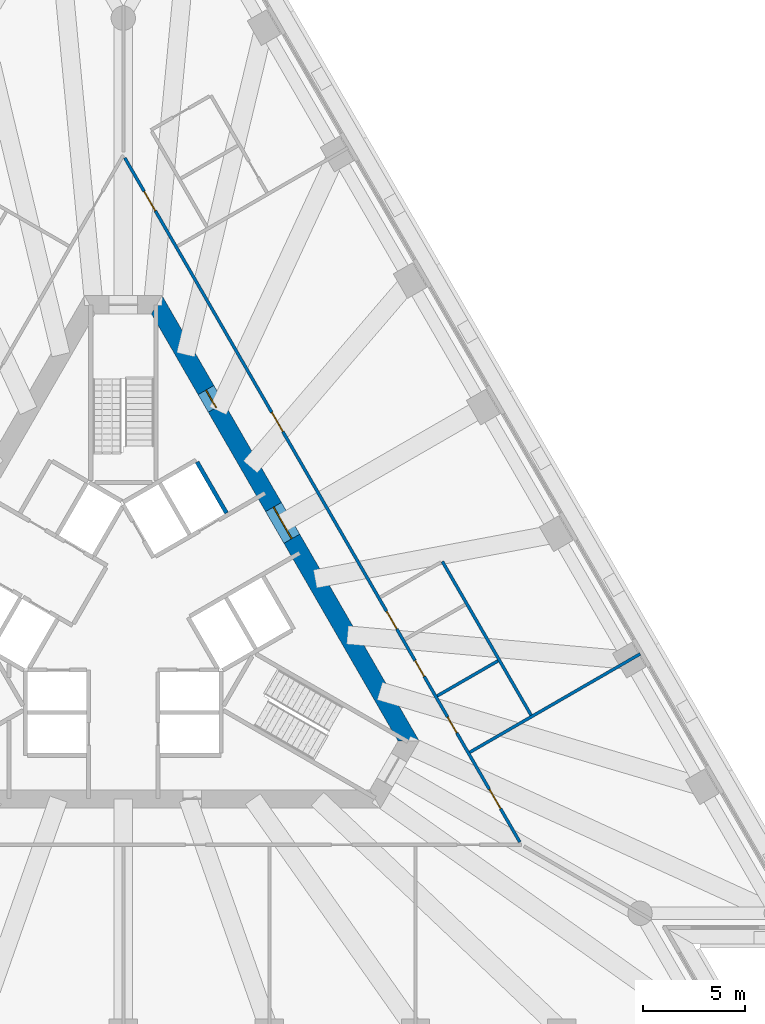
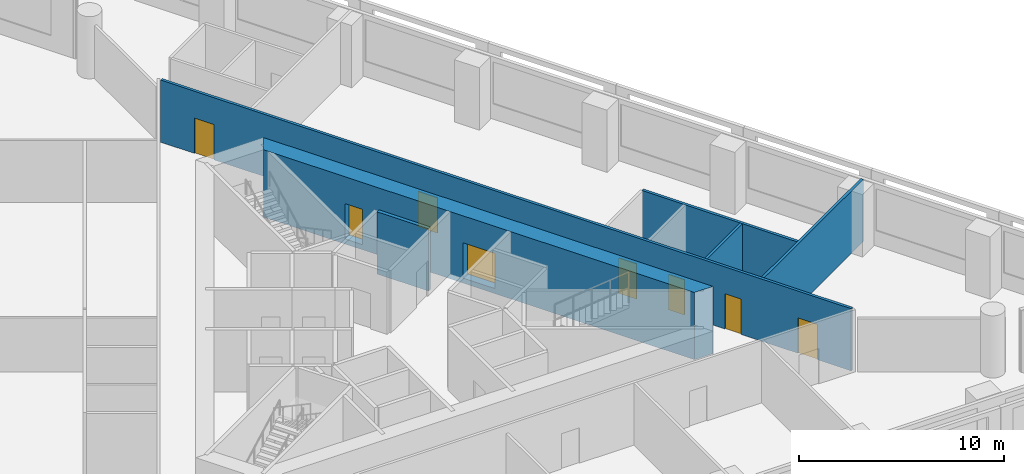
# One storey, part 6 of 11: 8 doors, 6 walls, 8 openings.
"""IFC4 building model written with IfcOpenShell, lengths in metres."""

from ifc_helpers import new_model, si_unit, direction, frame, frame_2d, origin, place, context, subcontext, project, spatial, polyline, rectangle, outline, extrude, material, layer, layer_set, type_object, element, fill, save


model = new_model("IFC4")

# Units and contexts
model_context = context("Model", 3, precision=1e-05, world=origin(), true_north=direction((0.0, 1.0)))
body_context = subcontext(model_context, "Body", "Model", "MODEL_VIEW")
ifc_project = project(units=[si_unit("LENGTHUNIT", "METRE"), si_unit("AREAUNIT", "SQUARE_METRE"), si_unit("VOLUMEUNIT", "CUBIC_METRE"), si_unit("PLANEANGLEUNIT", "RADIAN"), si_unit("MASSUNIT", "GRAM", prefix="KILO")], contexts=[model_context])

# Site, building, storey
site_placement = place(None, origin())
site = spatial("IfcSite", under=ifc_project, at=site_placement, CompositionType="ELEMENT")
building_placement = place(site_placement, origin())
building = spatial("IfcBuilding", under=site, at=building_placement, Name="Triada Interchange Tower", CompositionType="ELEMENT")
storey_placement = place(building_placement, frame((0.0, 0.0, 83.300048828125)))
storey = spatial("IfcBuildingStorey", under=building, at=storey_placement, Name="L18", CompositionType="ELEMENT", Elevation=83.300048828125)

# Wall
ifc_material_1 = material(Name="Concrete C30/37", Category="concrete")
ifc_layer_1 = layer(ifc_material_1, 0.199951171875)
ifc_layer_set_1 = layer_set([ifc_layer_1], Name="CORE WALL 200 EI 120")
wall_type_1 = type_object("IfcWallType", Name="CORE WALL 200 EI 120", PredefinedType="SOLIDWALL", material=ifc_layer_set_1)
wall_1_placement = place(storey_placement, frame((3.6259765625, 7.52001953125, 0.0), z_axis=(0.0, 0.0, 1.0), x_axis=(0.500060147554, -0.865990674793, 0.0)))
element("IfcWall", 1, at=wall_1_placement, inside=storey, type_object=wall_type_1, Name="Wall L18 59", PredefinedType="SOLIDWALL", context=body_context, shape_type="SweptSolid", body=[
    extrude(rectangle(XDim=2.899658203125, YDim=0.199951171875, at=frame_2d((1.44970703125, 0.0))), origin(), (0.0, 0.0, 1.0), 3.699951171875),
])

# Wall, openings, doors
ifc_material_2 = material(Name="Concrete C70/85", Category="concrete")
ifc_layer_2 = layer(ifc_material_2, 0.89990234375)
ifc_layer_set_2 = layer_set([ifc_layer_2], Name="Core wall A 900")
wall_type_2 = type_object("IfcWallType", Name="Core wall A 900", PredefinedType="SHEAR", material=ifc_layer_set_2)
wall_2_placement = place(storey_placement, frame((14.030029296875, -6.199951171875, -0.300048828125), z_axis=(0.0, 0.0, 1.0), x_axis=(-0.500026485275, 0.866010111964, 0.0)))
wall_2 = element("IfcWall", 2, at=wall_2_placement, inside=storey, type_object=wall_type_2, Name="Core wall WA06 L18", PredefinedType="SHEAR", context=body_context, shape_type="SweptSolid", body=[
    extrude(outline(polyline([(-0.260009765625, -0.448974609375), (1.685302734375, -0.448974609375), (3.63037109375, -0.44921875), (5.57568359375, -0.44921875), (7.52099609375, -0.44921875), (9.466064453125, -0.449462890625), (11.411376953125, -0.449462890625), (13.356689453125, -0.449462890625), (15.302001953125, -0.449462890625), (17.2470703125, -0.44970703125), (19.1923828125, -0.44970703125), (21.1376953125, -0.44970703125), (23.082763671875, -0.449951171875), (25.028076171875, -0.449951171875), (24.509033203125, 0.448974609375), (22.643798828125, 0.448974609375), (20.7783203125, 0.44921875), (18.9130859375, 0.44921875), (17.0478515625, 0.44921875), (15.182373046875, 0.449462890625), (13.317138671875, 0.449462890625), (11.451904296875, 0.449462890625), (9.586669921875, 0.449462890625), (7.72119140625, 0.44970703125), (5.85595703125, 0.44970703125), (3.99072265625, 0.44970703125), (2.125244140625, 0.449951171875), (0.260009765625, 0.449951171875), (-0.260009765625, -0.448974609375)])), origin(), (0.0, 0.0, 1.0), 4.0),
])
opening_1_placement = place(wall_2_placement, frame((11.48388671875, 0.0, 0.300048828125)))
opening_1 = element("IfcOpeningElement", 3, at=opening_1_placement, cuts=wall_2, Name="Opening D18-38", PredefinedType="OPENING", context=body_context, shape_type="SweptSolid", body=[
    extrude(rectangle(XDim=1.800048828125, YDim=2.10009765625, at=frame_2d((0.89990234375, 1.050048828125))), frame((0.0, 0.4599609375, 0.0), z_axis=(0.0, -1.0, 0.0), x_axis=(1.0, 0.0, 0.0)), (0.0, 0.0, 1.0), 0.919921875),
])
opening_2_placement = place(wall_2_placement, frame((18.926025390625, 0.0, 0.300048828125)))
opening_2 = element("IfcOpeningElement", 4, at=opening_2_placement, cuts=wall_2, Name="Opening D18-46", PredefinedType="OPENING", context=body_context, shape_type="SweptSolid", body=[
    extrude(rectangle(XDim=1.0, YDim=2.10009765625, at=frame_2d((0.5, 1.050048828125))), frame((0.0, 0.4599609375, 0.0), z_axis=(0.0, -1.0, 0.0), x_axis=(1.0, 0.0, 0.0)), (0.0, 0.0, 1.0), 0.919921875),
])
ifc_material_3 = material(Name="Steel S235 door leaf", Category="steel")
door_type_1 = type_object("IfcDoorType", Name="LOBBY DOOR 1800 EI2 90-C5S200", OperationType="DOUBLE_DOOR_SINGLE_SWING", PredefinedType="DOOR", material=ifc_material_3)
door_1_placement = place(opening_1_placement, origin())
door_1 = element("IfcDoor", 5, at=door_1_placement, inside=storey, type_object=door_type_1, Name="Door D18-38 L18", OperationType="DOUBLE_DOOR_SINGLE_SWING", OverallHeight=2.10009765625, OverallWidth=1.800048828125, PredefinedType="DOOR", context=body_context, shape_type="SweptSolid", body=[
    extrude(rectangle(XDim=1.800048828125, YDim=2.10009765625, at=frame_2d((0.89990234375, 1.050048828125))), frame((0.0, 0.02490234375, 0.0), z_axis=(0.0, -1.0, 0.0), x_axis=(1.0, 0.0, 0.0)), (0.0, 0.0, 1.0), 0.050048828125),
])
fill(opening_1, door_1)
door_type_2 = type_object("IfcDoorType", Name="SERVICE DOOR 1000 EI2 45-C5S200", OperationType="NOTDEFINED", PredefinedType="DOOR", material=ifc_material_3)
door_2_placement = place(opening_2_placement, origin())
door_2 = element("IfcDoor", 6, at=door_2_placement, inside=storey, type_object=door_type_2, Name="Door D18-46 L18", OperationType="SINGLE_SWING_LEFT", OverallHeight=2.10009765625, OverallWidth=1.0, PredefinedType="DOOR", context=body_context, shape_type="SweptSolid", body=[
    extrude(rectangle(XDim=1.0, YDim=2.10009765625, at=frame_2d((0.5, 1.050048828125))), frame((0.0, 0.02490234375, 0.0), z_axis=(0.0, -1.0, 0.0), x_axis=(1.0, 0.0, 0.0)), (0.0, 0.0, 1.0), 0.050048828125),
])
fill(opening_2, door_2)

ifc_material_4 = material(Name="Gypsum board partition")
ifc_layer_3 = layer(ifc_material_4, 0.14990234375)
ifc_layer_set_3 = layer_set([ifc_layer_3], Name="PARTITION 150 EI 180")
wall_type_3 = type_object("IfcWallType", Name="PARTITION 150 EI 180", PredefinedType="PARTITIONING", material=ifc_layer_set_3)
wall_3_placement = place(storey_placement, frame((0.074951171875, 22.469970703125, 0.0), z_axis=(0.0, 0.0, 1.0), x_axis=(0.500002280369, -0.866024087209, 0.0)))
wall_3 = element("IfcWall", 7, at=wall_3_placement, inside=storey, type_object=wall_type_3, Name="Wall L18 19", PredefinedType="PARTITIONING", context=body_context, shape_type="SweptSolid", body=[
    extrude(rectangle(XDim=38.843994140625, YDim=0.14990234375, at=frame_2d((19.421875, 0.0))), origin(), (0.0, 0.0, 1.0), 3.699951171875),
])
opening_3_placement = place(wall_3_placement, frame((35.843994140625, 0.0, 0.0)))
opening_3 = element("IfcOpeningElement", 8, at=opening_3_placement, cuts=wall_3, Name="Opening D18-20", PredefinedType="OPENING", context=body_context, shape_type="SweptSolid", body=[
    extrude(rectangle(XDim=1.10009765625, YDim=2.10009765625, at=frame_2d((0.550048828125, 1.050048828125))), frame((0.0, 0.0849609375, 0.0), z_axis=(0.0, -1.0, 0.0), x_axis=(1.0, 0.0, 0.0)), (0.0, 0.0, 1.0), 0.169921875),
])
opening_4_placement = place(wall_3_placement, frame((14.43994140625, 0.0, 0.0)))
opening_4 = element("IfcOpeningElement", 9, at=opening_4_placement, cuts=wall_3, Name="Opening D18-21", PredefinedType="OPENING", context=body_context, shape_type="SweptSolid", body=[
    extrude(rectangle(XDim=1.10009765625, YDim=2.10009765625, at=frame_2d((0.550048828125, 1.050048828125))), frame((0.0, 0.0849609375, 0.0), z_axis=(0.0, -1.0, 0.0), x_axis=(1.0, 0.0, 0.0)), (0.0, 0.0, 1.0), 0.169921875),
])
opening_5_placement = place(wall_3_placement, frame((31.739990234375, 0.0, 0.0)))
opening_5 = element("IfcOpeningElement", 10, at=opening_5_placement, cuts=wall_3, Name="Opening D18-22", PredefinedType="OPENING", context=body_context, shape_type="SweptSolid", body=[
    extrude(rectangle(XDim=0.89990234375, YDim=2.10009765625, at=frame_2d((0.449951171875, 1.050048828125))), frame((0.0, 0.0849609375, 0.0), z_axis=(0.0, -1.0, 0.0), x_axis=(1.0, 0.0, 0.0)), (0.0, 0.0, 1.0), 0.169921875),
])
opening_6_placement = place(wall_3_placement, frame((28.5400390625, 0.0, 0.0)))
opening_6 = element("IfcOpeningElement", 11, at=opening_6_placement, cuts=wall_3, Name="Opening D18-23", PredefinedType="OPENING", context=body_context, shape_type="SweptSolid", body=[
    extrude(rectangle(XDim=0.89990234375, YDim=2.10009765625, at=frame_2d((0.449951171875, 1.050048828125))), frame((0.0, 0.0849609375, 0.0), z_axis=(0.0, -1.0, 0.0), x_axis=(1.0, 0.0, 0.0)), (0.0, 0.0, 1.0), 0.169921875),
])
opening_7_placement = place(wall_3_placement, frame((25.739990234375, 0.0, 0.0)))
opening_7 = element("IfcOpeningElement", 12, at=opening_7_placement, cuts=wall_3, Name="Opening D18-24", PredefinedType="OPENING", context=body_context, shape_type="SweptSolid", body=[
    extrude(rectangle(XDim=1.0, YDim=2.10009765625, at=frame_2d((0.5, 1.050048828125))), frame((0.0, 0.0849609375, 0.0), z_axis=(0.0, -1.0, 0.0), x_axis=(1.0, 0.0, 0.0)), (0.0, 0.0, 1.0), 0.169921875),
])
opening_8_placement = place(wall_3_placement, frame((1.905029296875, 0.0, 0.0)))
opening_8 = element("IfcOpeningElement", 13, at=opening_8_placement, cuts=wall_3, Name="Opening D18-25", PredefinedType="OPENING", context=body_context, shape_type="SweptSolid", body=[
    extrude(rectangle(XDim=1.10009765625, YDim=2.10009765625, at=frame_2d((0.550048828125, 1.050048828125))), frame((0.0, 0.0849609375, 0.0), z_axis=(0.0, -1.0, 0.0), x_axis=(1.0, 0.0, 0.0)), (0.0, 0.0, 1.0), 0.169921875),
])
door_type_3 = type_object("IfcDoorType", Name="ROOM DOOR 1000 EI2 90-C5S200", OperationType="NOTDEFINED", PredefinedType="DOOR", material=ifc_material_3)
door_3_placement = place(opening_7_placement, origin())
door_3 = element("IfcDoor", 14, at=door_3_placement, inside=storey, type_object=door_type_3, Name="Door D18-24 L18", OperationType="SINGLE_SWING_LEFT", OverallHeight=2.10009765625, OverallWidth=1.0, PredefinedType="DOOR", context=body_context, shape_type="SweptSolid", body=[
    extrude(rectangle(XDim=1.0, YDim=2.10009765625, at=frame_2d((0.5, 1.050048828125))), frame((0.0, 0.02490234375, 0.0), z_axis=(0.0, -1.0, 0.0), x_axis=(1.0, 0.0, 0.0)), (0.0, 0.0, 1.0), 0.050048828125),
])
fill(opening_7, door_3)
door_type_4 = type_object("IfcDoorType", Name="ROOM DOOR 900 EI2 90-C5S200", OperationType="NOTDEFINED", PredefinedType="DOOR", material=ifc_material_3)
door_4_placement = place(opening_5_placement, origin())
door_4 = element("IfcDoor", 15, at=door_4_placement, inside=storey, type_object=door_type_4, Name="Door D18-22 L18", OperationType="SINGLE_SWING_LEFT", OverallHeight=2.10009765625, OverallWidth=0.89990234375, PredefinedType="DOOR", context=body_context, shape_type="SweptSolid", body=[
    extrude(rectangle(XDim=0.89990234375, YDim=2.10009765625, at=frame_2d((0.449951171875, 1.050048828125))), frame((0.0, 0.02490234375, 0.0), z_axis=(0.0, -1.0, 0.0), x_axis=(1.0, 0.0, 0.0)), (0.0, 0.0, 1.0), 0.050048828125),
])
fill(opening_5, door_4)
door_5_placement = place(opening_6_placement, origin())
door_5 = element("IfcDoor", 16, at=door_5_placement, inside=storey, type_object=door_type_4, Name="Door D18-23 L18", OperationType="SINGLE_SWING_RIGHT", OverallHeight=2.10009765625, OverallWidth=0.89990234375, PredefinedType="DOOR", context=body_context, shape_type="SweptSolid", body=[
    extrude(rectangle(XDim=0.89990234375, YDim=2.10009765625, at=frame_2d((0.449951171875, 1.050048828125))), frame((0.0, 0.02490234375, 0.0), z_axis=(0.0, -1.0, 0.0), x_axis=(1.0, 0.0, 0.0)), (0.0, 0.0, 1.0), 0.050048828125),
])
fill(opening_6, door_5)
door_type_5 = type_object("IfcDoorType", Name="TENANCY ENTRANCE DOOR 1100 EI2 90-C5S200", OperationType="NOTDEFINED", PredefinedType="DOOR", material=ifc_material_3)
door_6_placement = place(opening_3_placement, origin())
door_6 = element("IfcDoor", 17, at=door_6_placement, inside=storey, type_object=door_type_5, Name="Door D18-20 L18", OperationType="SINGLE_SWING_RIGHT", OverallHeight=2.10009765625, OverallWidth=1.10009765625, PredefinedType="DOOR", context=body_context, shape_type="SweptSolid", body=[
    extrude(rectangle(XDim=1.10009765625, YDim=2.10009765625, at=frame_2d((0.550048828125, 1.050048828125))), frame((0.0, 0.02490234375, 0.0), z_axis=(0.0, -1.0, 0.0), x_axis=(1.0, 0.0, 0.0)), (0.0, 0.0, 1.0), 0.050048828125),
])
fill(opening_3, door_6)
door_7_placement = place(opening_4_placement, origin())
door_7 = element("IfcDoor", 18, at=door_7_placement, inside=storey, type_object=door_type_5, Name="Door D18-21 L18", OperationType="SINGLE_SWING_RIGHT", OverallHeight=2.10009765625, OverallWidth=1.10009765625, PredefinedType="DOOR", context=body_context, shape_type="SweptSolid", body=[
    extrude(rectangle(XDim=1.10009765625, YDim=2.10009765625, at=frame_2d((0.550048828125, 1.050048828125))), frame((0.0, 0.02490234375, 0.0), z_axis=(0.0, -1.0, 0.0), x_axis=(1.0, 0.0, 0.0)), (0.0, 0.0, 1.0), 0.050048828125),
])
fill(opening_4, door_7)
door_8_placement = place(opening_8_placement, origin())
door_8 = element("IfcDoor", 19, at=door_8_placement, inside=storey, type_object=door_type_5, Name="Door D18-25 L18", OperationType="SINGLE_SWING_LEFT", OverallHeight=2.10009765625, OverallWidth=1.10009765625, PredefinedType="DOOR", context=body_context, shape_type="SweptSolid", body=[
    extrude(rectangle(XDim=1.10009765625, YDim=2.10009765625, at=frame_2d((0.550048828125, 1.050048828125))), frame((0.0, 0.02490234375, 0.0), z_axis=(0.0, -1.0, 0.0), x_axis=(1.0, 0.0, 0.0)), (0.0, 0.0, 1.0), 0.050048828125),
])
fill(opening_8, door_8)

# Walls
wall_4_placement = place(storey_placement, frame((15.68798828125, 2.6279296875, 0.0), z_axis=(0.0, 0.0, 1.0), x_axis=(0.499970334739, -0.866042530354, 0.0)))
element("IfcWall", 20, at=wall_4_placement, inside=storey, type_object=wall_type_3, Name="Wall L18 22", PredefinedType="PARTITIONING", context=body_context, shape_type="SweptSolid", body=[
    extrude(rectangle(XDim=8.724609375, YDim=0.14990234375, at=frame_2d((4.3623046875, 0.0))), origin(), (0.0, 0.0, 1.0), 3.699951171875),
])
wall_5_placement = place(storey_placement, frame((15.43505859375, -3.98388671875, 0.0), z_axis=(0.0, 0.0, 1.0), x_axis=(0.866061862632, 0.499936846106, 0.0)))
element("IfcWall", 21, at=wall_5_placement, inside=storey, type_object=wall_type_3, Name="Wall L18 26", PredefinedType="PARTITIONING", context=body_context, shape_type="SweptSolid", body=[
    extrude(rectangle(XDim=3.4501953125, YDim=0.14990234375, at=frame_2d((1.72509765625, 0.0))), origin(), (0.0, 0.0, 1.0), 3.699951171875),
])
wall_6_placement = place(storey_placement, frame((17.034912109375, -6.7548828125, 0.0), z_axis=(0.0, 0.0, 1.0), x_axis=(0.866035557451, 0.499982412921, 0.0)))
element("IfcWall", 22, at=wall_6_placement, inside=storey, type_object=wall_type_3, Name="Wall L18 27", PredefinedType="PARTITIONING", context=body_context, shape_type="SweptSolid", body=[
    extrude(rectangle(XDim=9.674072265625, YDim=0.14990234375, at=frame_2d((4.8369140625, 0.0))), origin(), (0.0, 0.0, 1.0), 3.699951171875),
])

save(model, "model.ifc")
